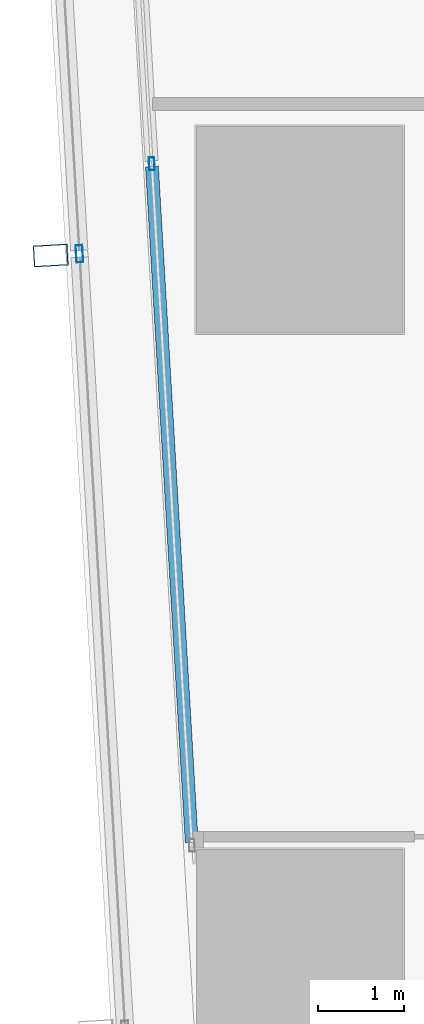
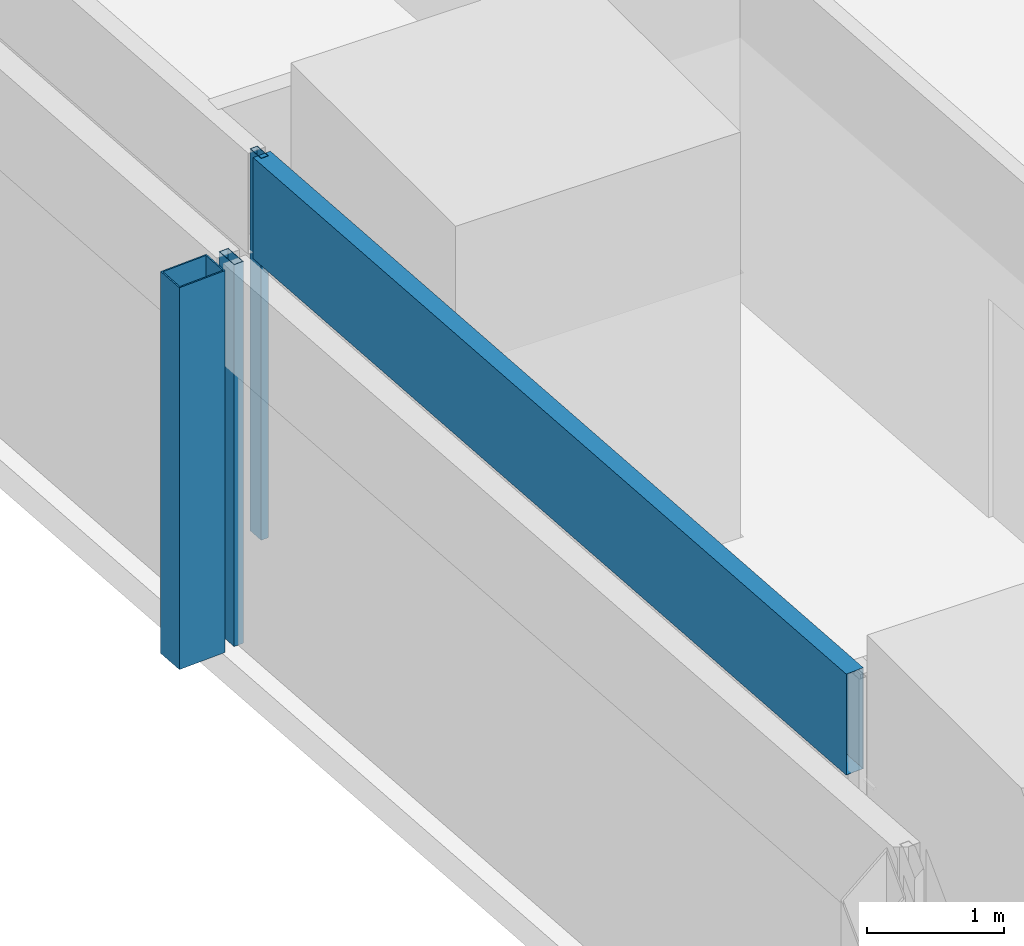
# One storey, part 6 of 34: 4 members, 2 elements without a shape of their own.
"""IFC4 building model written with IfcOpenShell, lengths in metres."""

from ifc_helpers import new_model, si_unit, direction, frame, origin, origin_2d, place, context, subcontext, project, spatial, hollow_rectangle, extrude, material, material_profile, profile_set, type_object, element, aggregate, save


model = new_model("IFC4")

# Units and contexts
model_context = context("Model", 3, precision=1e-05, world=origin(), true_north=direction((0.0, 1.0)))
body_context = subcontext(model_context, "Body", "Model", "MODEL_VIEW")
ifc_project = project(units=[si_unit("LENGTHUNIT", "METRE"), si_unit("AREAUNIT", "SQUARE_METRE"), si_unit("VOLUMEUNIT", "CUBIC_METRE"), si_unit("PLANEANGLEUNIT", "RADIAN"), si_unit("MASSUNIT", "GRAM", prefix="KILO")], contexts=[model_context])

# Site, building, storey
site_placement = place(None, origin())
site = spatial("IfcSite", under=ifc_project, at=site_placement, CompositionType="ELEMENT")
building_placement = place(site_placement, origin())
building = spatial("IfcBuilding", under=site, at=building_placement, Name="Rekha Terrace Tower", CompositionType="ELEMENT")
storey_placement = place(building_placement, frame((0.0, 0.0, 236.449951171875)))
storey = spatial("IfcBuildingStorey", under=building, at=storey_placement, Name="L60", CompositionType="ELEMENT", Elevation=236.449951171875)

# Curtain wall, member
ifc_material_1 = material(Name="Aluminium framing", Category="aluminium")
curtain_wall_type_1 = type_object("IfcCurtainWallType", Name="CW2 double skin outer glazing", PredefinedType="USERDEFINED", material=ifc_material_1)
curtain_wall_1_placement = place(storey_placement, origin())
curtain_wall_1 = element("IfcCurtainWall", 1, at=curtain_wall_1_placement, inside=storey, type_object=curtain_wall_type_1, Name="CW2 double skin outer glazing", ObjectType="DOUBLE SKIN OUTER GLAZING", PredefinedType="USERDEFINED")
ifc_material_2 = material(Name="Steel S355 with fluorocarbon finish", Category="steel")
ifc_material_profile_1 = material_profile(ifc_material_2, hollow_rectangle(XDim=0.25, YDim=0.39990234375, WallThickness=0.012451171875, at=origin_2d()), Name="RHS400x250x12.5")
ifc_profile_set_1 = profile_set([ifc_material_profile_1], Name="Steel S355 with fluorocarbon finish")
member_type_1 = type_object("IfcMemberType", Name="BL1 facade blade RHS 400 x 250", PredefinedType="USERDEFINED", material=ifc_profile_set_1)
member_1_placement = place(storey_placement, frame((5.50634765625, 33.300048828125, 0.0), z_axis=(0.0, 0.0, 1.0), x_axis=(0.058764522885, -0.998271872212, 0.0)))
member_1 = element("IfcMember", 2, at=member_1_placement, type_object=member_type_1, Name="Facade blade", ObjectType="FACADE BLADE", PredefinedType="USERDEFINED", context=body_context, shape_type="SweptSolid", body=[
    extrude(hollow_rectangle(XDim=0.25, YDim=0.39990234375, WallThickness=0.012451171875, at=origin_2d()), origin(), (0.0, 0.0, 1.0), 3.400146484375),
])

# Curtain wall, members
curtain_wall_type_2 = type_object("IfcCurtainWallType", Name="CW1 double skin inner glazing", PredefinedType="USERDEFINED", material=ifc_material_1)
curtain_wall_2_placement = place(storey_placement, origin())
curtain_wall_2 = element("IfcCurtainWall", 3, at=curtain_wall_2_placement, inside=storey, type_object=curtain_wall_type_2, Name="CW1 double skin inner glazing", ObjectType="DOUBLE SKIN INNER GLAZING", PredefinedType="USERDEFINED")
ifc_material_3 = material(Name="Aluminium mullion section", Category="aluminium")
ifc_material_profile_2 = material_profile(ifc_material_3, hollow_rectangle(XDim=0.06494140625, YDim=0.14990234375, WallThickness=0.00390625, at=origin_2d()), Name="AL RHS 65x150")
ifc_profile_set_2 = profile_set([ifc_material_profile_2], Name="Aluminium mullion section")
member_type_2 = type_object("IfcMemberType", Name="CW1 mullion RHS 65 x 150", PredefinedType="MULLION", material=ifc_profile_set_2)
member_2_placement = place(storey_placement, frame((6.6806640625, 34.36572265625, 0.0), z_axis=(0.0, 0.0, 1.0), x_axis=(0.998271839267, 0.058765082551, 0.0)))
member_2 = element("IfcMember", 4, at=member_2_placement, type_object=member_type_2, Name="CW1 mullion 2", PredefinedType="MULLION", context=body_context, shape_type="SweptSolid", body=[
    extrude(hollow_rectangle(XDim=0.06494140625, YDim=0.14990234375, WallThickness=0.00390625, at=origin_2d()), origin(), (0.0, 0.0, 1.0), 3.400146484375),
])
ifc_material_4 = material(Name="Insulated aluminium spandrel box", Category="aluminium")
ifc_material_profile_3 = material_profile(ifc_material_4, hollow_rectangle(XDim=0.14990234375, YDim=0.89990234375, WallThickness=0.0029296875, at=origin_2d()), Name="AL SPANDREL BOX 150x900")
ifc_profile_set_3 = profile_set([ifc_material_profile_3], Name="Insulated aluminium spandrel box")
member_type_3 = type_object("IfcMemberType", Name="CW1 spandrel transom 150 x 900", PredefinedType="USERDEFINED", material=ifc_profile_set_3)
member_3_placement = place(storey_placement, frame((6.6826171875, 34.333251953125, 2.949951171875), z_axis=(0.058762055073, -0.99827201748, 0.0), x_axis=(0.99827201748, 0.058762055073, 0.0)))
member_3 = element("IfcMember", 5, at=member_3_placement, type_object=member_type_3, Name="CW1 spandrel transom 2", ObjectType="TRANSOM", PredefinedType="USERDEFINED", context=body_context, shape_type="SweptSolid", body=[
    extrude(hollow_rectangle(XDim=0.14990234375, YDim=0.89990234375, WallThickness=0.0029296875, at=origin_2d()), origin(), (0.0, 0.0, 1.0), 7.864990234375),
])
aggregate(curtain_wall_2, [member_2, member_3])

# Member
ifc_material_profile_4 = material_profile(ifc_material_3, hollow_rectangle(XDim=0.080078125, YDim=0.199951171875, WallThickness=0.00390625, at=origin_2d()), Name="AL RHS 80x200")
ifc_profile_set_4 = profile_set([ifc_material_profile_4], Name="Aluminium mullion section")
member_type_4 = type_object("IfcMemberType", Name="CW2 mullion RHS 80 x 200", PredefinedType="MULLION", material=ifc_profile_set_4)
member_4_placement = place(storey_placement, frame((5.840576171875, 33.31982421875, 0.0), z_axis=(0.0, 0.0, 1.0), x_axis=(0.99827183927, 0.058765082499, 0.0)))
member_4 = element("IfcMember", 6, at=member_4_placement, type_object=member_type_4, Name="CW2 mullion 2", PredefinedType="MULLION", context=body_context, shape_type="SweptSolid", body=[
    extrude(hollow_rectangle(XDim=0.080078125, YDim=0.199951171875, WallThickness=0.00390625, at=origin_2d()), origin(), (0.0, 0.0, 1.0), 3.400146484375),
])

aggregate(curtain_wall_1, [member_4, member_1])

save(model, "model.ifc")
